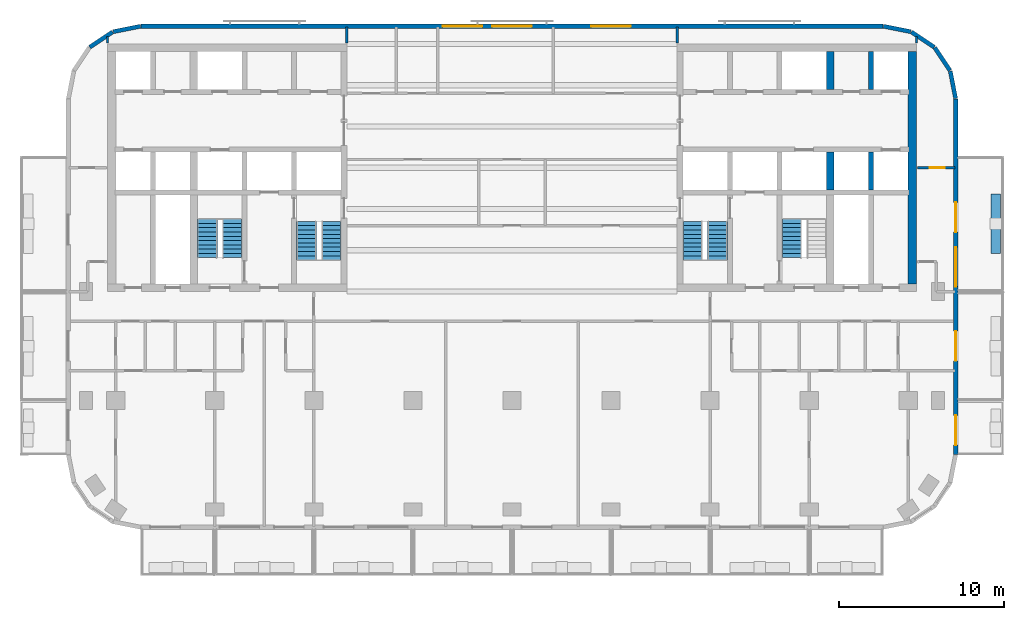
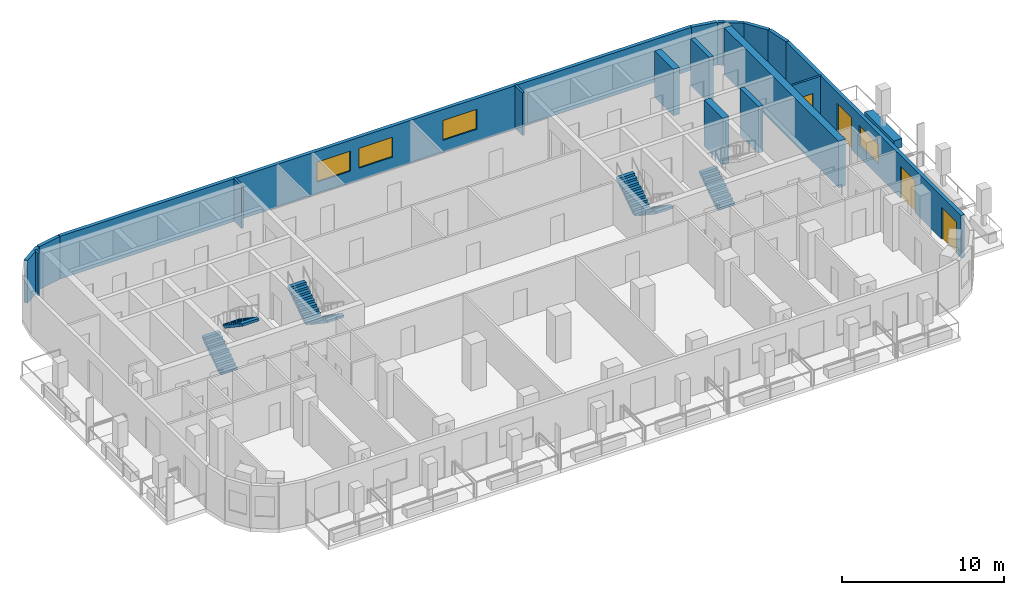
# One storey, part 7 of 11: 19 walls, 7 stair flights, 4 doors, 4 windows, 8 openings, 4 elements without a shape of their own.
"""IFC4 building model written with IfcOpenShell, lengths in metres."""

from ifc_helpers import new_model, si_unit, direction, frame, frame_2d, origin, place, context, subcontext, project, spatial, polyline, rectangle, outline, extrude, material, layer, layer_set, type_object, element, fill, aggregate, save


model = new_model("IFC4")

# Units and contexts
model_context = context("Model", 3, precision=1e-05, world=origin(), true_north=direction((0.0, 1.0)))
body_context = subcontext(model_context, "Body", "Model", "MODEL_VIEW")
ifc_project = project(units=[si_unit("LENGTHUNIT", "METRE"), si_unit("AREAUNIT", "SQUARE_METRE"), si_unit("VOLUMEUNIT", "CUBIC_METRE"), si_unit("PLANEANGLEUNIT", "RADIAN"), si_unit("MASSUNIT", "GRAM", prefix="KILO")], contexts=[model_context])

# Site, building, storey
site_placement = place(None, origin())
site = spatial("IfcSite", under=ifc_project, at=site_placement, CompositionType="ELEMENT")
building_placement = place(site_placement, origin())
building = spatial("IfcBuilding", under=site, at=building_placement, Name="Torana Hotel and Residences", CompositionType="ELEMENT")
storey_placement = place(building_placement, frame((0.0, 0.0, 190.60009765625)))
storey = spatial("IfcBuildingStorey", under=building, at=storey_placement, Name="L49", CompositionType="ELEMENT", Elevation=190.60009765625)

# Walls
ifc_material_1 = material(Name="Concrete C70/85", Category="concrete")
ifc_layer_1 = layer(ifc_material_1, 0.300048828125)
ifc_layer_set_1 = layer_set([ifc_layer_1], Name="CORE WALL 300 C70/85")
wall_type_1 = type_object("IfcWallType", Name="CORE WALL 300 C70/85", PredefinedType="SHEAR", material=ifc_layer_set_1)
for number, where, z_axis, x_axis, name in (
    (1, (21.75, -2.75, 0.0), (0.0, 0.0, 1.0), (0.0, 1.0, 0.0), "Core wall E mm-N"),
    (2, (21.75, -8.85009765625, 0.0), (0.0, 0.0, 1.0), (0.0, 1.0, 0.0), "Core wall E mm-S"),
):
    element("IfcWall", number, at=place(storey_placement, frame(where, z_axis=z_axis, x_axis=x_axis)), inside=storey, type_object=wall_type_1, Name=name, PredefinedType="SHEAR", context=body_context, shape_type="SweptSolid", body=[
        extrude(rectangle(XDim=2.300048828125, YDim=0.300048828125, at=frame_2d((1.14990234375, 0.0))), origin(), (0.0, 0.0, 1.0), 3.5),
    ])
ifc_material_2 = material(Name="Concrete C70/85", Category="concrete")
ifc_layer_2 = layer(ifc_material_2, 0.449951171875)
ifc_layer_set_2 = layer_set([ifc_layer_2], Name="CORE WALL 450 C70/85")
wall_type_2 = type_object("IfcWallType", Name="CORE WALL 450 C70/85", PredefinedType="SHEAR", material=ifc_layer_set_2)
for number, where, z_axis, x_axis, name in (
    (3, (19.27490234375, -2.75, 0.0), (0.0, 0.0, 1.0), (0.0, 1.0, 0.0), "Core wall E hm-N"),
    (4, (19.27490234375, -8.85009765625, 0.0), (0.0, 0.0, 1.0), (0.0, 1.0, 0.0), "Core wall E hm-S"),
):
    element("IfcWall", number, at=place(storey_placement, frame(where, z_axis=z_axis, x_axis=x_axis)), inside=storey, type_object=wall_type_2, Name=name, PredefinedType="SHEAR", context=body_context, shape_type="SweptSolid", body=[
        extrude(rectangle(XDim=2.300048828125, YDim=0.449951171875, at=frame_2d((1.14990234375, 0.0))), origin(), (0.0, 0.0, 1.0), 3.5),
    ])
ifc_material_3 = material(Name="Concrete C70/85", Category="concrete")
ifc_layer_3 = layer(ifc_material_3, 0.5)
ifc_layer_set_3 = layer_set([ifc_layer_3], Name="CORE WALL 500 C70/85")
wall_type_3 = type_object("IfcWallType", Name="CORE WALL 500 C70/85", PredefinedType="SHEAR", material=ifc_layer_set_3)
wall_1_placement = place(storey_placement, frame((24.25, -14.550048828125, 0.0), z_axis=(0.0, 0.0, 1.0), x_axis=(0.0, 1.0, 0.0)))
element("IfcWall", 5, at=wall_1_placement, inside=storey, type_object=wall_type_3, Name="Core wall E outer", PredefinedType="SHEAR", context=body_context, shape_type="SweptSolid", body=[
    extrude(rectangle(XDim=14.10009765625, YDim=0.5, at=frame_2d((7.050048828125, 0.0))), origin(), (0.0, 0.0, 1.0), 3.5),
])
ifc_material_4 = material(Name="Black aluminium composite panel", Category="aluminium")
ifc_layer_4 = layer(ifc_material_4, 0.00390625, Name="Cladding", Category="cladding")
ifc_material_5 = material(Name="Ventilated air cavity")
ifc_layer_5 = layer(ifc_material_5, 0.0400390625, Name="Ventilated cavity", Category="cavity")
ifc_material_6 = material(Name="Mineral wool insulation")
ifc_layer_6 = layer(ifc_material_6, 0.090087890625, Name="Insulation", Category="insulation")
ifc_material_7 = material(Name="Steel S280GD", Category="steel")
ifc_layer_7 = layer(ifc_material_7, 0.092041015625, Name="Steel stud frame", Category="structure")
ifc_material_8 = material(Name="Fire rated plasterboard")
ifc_layer_8 = layer(ifc_material_8, 0.011962890625, Name="Inner board", Category="finish")
ifc_layer_9 = layer(ifc_material_8, 0.011962890625, Name="Second board", Category="finish")
ifc_layer_set_4 = layer_set([ifc_layer_4, ifc_layer_5, ifc_layer_6, ifc_layer_7, ifc_layer_8, ifc_layer_9], Name="EW1 EXTERNAL WALL BLACK METAL CLAD 250")
wall_type_4 = type_object("IfcWallType", Name="EW1 EXTERNAL WALL BLACK METAL CLAD 250", PredefinedType="SOLIDWALL", material=ifc_layer_set_4)
wall_2_placement = place(storey_placement, frame((26.87255859375, -3.30029296875, 0.0), z_axis=(0.0, 0.0, 1.0), x_axis=(-0.194999110559, 0.980803419081, 0.0)))
element("IfcWall", 6, at=wall_2_placement, inside=storey, type_object=wall_type_4, Name="External wall L49 e0.0", PredefinedType="SOLIDWALL", context=body_context, shape_type="SweptSolid", body=[
    extrude(rectangle(XDim=1.681396484375, YDim=0.25, at=frame_2d((0.8408203125, 0.0))), origin(), (0.0, 0.0, 1.0), 3.219970703125),
])
for number, where, z_axis, x_axis, name in (
    (7, (26.52587890625, -1.60595703125, 0.0), (0.0, 0.0, 1.0), (-0.55555029066, 0.831482937015, 0.0), "External wall L49 e0.1"),
    (8, (25.5712890625, -0.1943359375, 0.0), (0.0, 0.0, 1.0), (-0.831482937015, 0.55555029066, 0.0), "External wall L49 e0.2"),
):
    element("IfcWall", number, at=place(storey_placement, frame(where, z_axis=z_axis, x_axis=x_axis)), inside=storey, type_object=wall_type_4, Name=name, PredefinedType="SOLIDWALL", context=body_context, shape_type="SweptSolid", body=[
        extrude(rectangle(XDim=1.65625, YDim=0.25, at=frame_2d((0.828125, 0.0))), origin(), (0.0, 0.0, 1.0), 3.219970703125),
    ])
for number, where, z_axis, x_axis, name in (
    (9, (24.14892578125, 0.74462890625, 0.0), (0.0, 0.0, 1.0), (-0.980803419081, 0.194999110559, 0.0), "External wall L49 e0.3"),
    (10, (-22.499755859375, 1.072509765625, 0.0), (0.0, 0.0, 1.0), (-0.980803419081, -0.194999110559, 0.0), "External wall L49 e0.5"),
):
    element("IfcWall", number, at=place(storey_placement, frame(where, z_axis=z_axis, x_axis=x_axis)), inside=storey, type_object=wall_type_4, Name=name, PredefinedType="SOLIDWALL", context=body_context, shape_type="SweptSolid", body=[
        extrude(rectangle(XDim=1.681396484375, YDim=0.25, at=frame_2d((0.8408203125, 0.0))), origin(), (0.0, 0.0, 1.0), 3.219970703125),
    ])
wall_3_placement = place(storey_placement, frame((-24.194091796875, 0.725830078125, 0.0), z_axis=(0.0, 0.0, 1.0), x_axis=(-0.831482937015, -0.55555029066, 0.0)))
element("IfcWall", 11, at=wall_3_placement, inside=storey, type_object=wall_type_4, Name="External wall L49 e0.6", PredefinedType="SOLIDWALL", context=body_context, shape_type="SweptSolid", body=[
    extrude(rectangle(XDim=1.65625, YDim=0.25, at=frame_2d((0.828125, 0.0))), origin(), (0.0, 0.0, 1.0), 3.219970703125),
])

# Wall, openings, doors, window
wall_4_placement = place(storey_placement, frame((26.875, -24.87548828125, 0.0), z_axis=(0.0, 0.0, 1.0), x_axis=(0.0, 1.0, 0.0)))
wall_4 = element("IfcWall", 12, at=wall_4_placement, inside=storey, type_object=wall_type_4, Name="External wall L49 e0.19", PredefinedType="SOLIDWALL", context=body_context, shape_type="SweptSolid", body=[
    extrude(rectangle(XDim=21.55078125, YDim=0.25, at=frame_2d((10.775390625, 0.0))), origin(), (0.0, 0.0, 1.0), 3.219970703125),
])
opening_1_placement = place(wall_4_placement, frame((0.575439453125, 0.0, 0.0)))
opening_1 = element("IfcOpeningElement", 13, at=opening_1_placement, cuts=wall_4, Name="Opening L49-E09", PredefinedType="OPENING", context=body_context, shape_type="SweptSolid", body=[
    extrude(rectangle(XDim=1.800048828125, YDim=2.39990234375, at=frame_2d((0.89990234375, 1.199951171875))), frame((0.0, 0.135009765625, 0.0), z_axis=(0.0, -1.0, 0.0), x_axis=(1.0, 0.0, 0.0)), (0.0, 0.0, 1.0), 0.27001953125),
])
opening_2_placement = place(wall_4_placement, frame((5.67529296875, 0.0, 0.0)))
opening_2 = element("IfcOpeningElement", 14, at=opening_2_placement, cuts=wall_4, Name="Opening L49-E10", PredefinedType="OPENING", context=body_context, shape_type="SweptSolid", body=[
    extrude(rectangle(XDim=1.800048828125, YDim=2.39990234375, at=frame_2d((0.89990234375, 1.199951171875))), frame((0.0, 0.135009765625, 0.0), z_axis=(0.0, -1.0, 0.0), x_axis=(1.0, 0.0, 0.0)), (0.0, 0.0, 1.0), 0.27001953125),
])
opening_3_placement = place(wall_4_placement, frame((10.17529296875, 0.0, 0.89990234375)))
opening_3 = element("IfcOpeningElement", 15, at=opening_3_placement, cuts=wall_4, Name="Opening W3", PredefinedType="OPENING", context=body_context, shape_type="SweptSolid", body=[
    extrude(rectangle(XDim=2.39990234375, YDim=1.5, at=frame_2d((1.199951171875, 0.75))), frame((0.0, 0.135009765625, 0.0), z_axis=(0.0, -1.0, 0.0), x_axis=(1.0, 0.0, 0.0)), (0.0, 0.0, 1.0), 0.27001953125),
])
opening_4_placement = place(wall_4_placement, frame((13.475341796875, 0.0, 0.0)))
opening_4 = element("IfcOpeningElement", 16, at=opening_4_placement, cuts=wall_4, Name="Opening L49-E11", PredefinedType="OPENING", context=body_context, shape_type="SweptSolid", body=[
    extrude(rectangle(XDim=1.800048828125, YDim=2.39990234375, at=frame_2d((0.89990234375, 1.199951171875))), frame((0.0, 0.135009765625, 0.0), z_axis=(0.0, -1.0, 0.0), x_axis=(1.0, 0.0, 0.0)), (0.0, 0.0, 1.0), 0.27001953125),
])
ifc_material_9 = material(Name="Dark glass in black aluminium frame", Category="aluminium")
door_type_1 = type_object("IfcDoorType", Name="DB1 BALCONY DOOR 1800x2400", OperationType="DOUBLE_DOOR_SINGLE_SWING", PredefinedType="DOOR", material=ifc_material_9)
door_1_placement = place(opening_1_placement, origin())
door_1 = element("IfcDoor", 17, at=door_1_placement, inside=storey, type_object=door_type_1, Name="Balcony door L49", OperationType="DOUBLE_DOOR_SINGLE_SWING", OverallHeight=2.39990234375, OverallWidth=1.800048828125, PredefinedType="DOOR", context=body_context, shape_type="SweptSolid", body=[
    extrude(rectangle(XDim=1.800048828125, YDim=2.39990234375, at=frame_2d((0.89990234375, 1.199951171875))), frame((0.0, 0.02490234375, 0.0), z_axis=(0.0, -1.0, 0.0), x_axis=(1.0, 0.0, 0.0)), (0.0, 0.0, 1.0), 0.050048828125),
])
fill(opening_1, door_1)
door_2_placement = place(opening_2_placement, origin())
door_2 = element("IfcDoor", 18, at=door_2_placement, inside=storey, type_object=door_type_1, Name="Balcony door L49", OperationType="DOUBLE_DOOR_SINGLE_SWING", OverallHeight=2.39990234375, OverallWidth=1.800048828125, PredefinedType="DOOR", context=body_context, shape_type="SweptSolid", body=[
    extrude(rectangle(XDim=1.800048828125, YDim=2.39990234375, at=frame_2d((0.89990234375, 1.199951171875))), frame((0.0, 0.02490234375, 0.0), z_axis=(0.0, -1.0, 0.0), x_axis=(1.0, 0.0, 0.0)), (0.0, 0.0, 1.0), 0.050048828125),
])
fill(opening_2, door_2)
door_3_placement = place(opening_4_placement, origin())
door_3 = element("IfcDoor", 19, at=door_3_placement, inside=storey, type_object=door_type_1, Name="Balcony door L49", OperationType="DOUBLE_DOOR_SINGLE_SWING", OverallHeight=2.39990234375, OverallWidth=1.800048828125, PredefinedType="DOOR", context=body_context, shape_type="SweptSolid", body=[
    extrude(rectangle(XDim=1.800048828125, YDim=2.39990234375, at=frame_2d((0.89990234375, 1.199951171875))), frame((0.0, 0.02490234375, 0.0), z_axis=(0.0, -1.0, 0.0), x_axis=(1.0, 0.0, 0.0)), (0.0, 0.0, 1.0), 0.050048828125),
])
fill(opening_4, door_3)
ifc_material_10 = material(Name="Dark glass in black aluminium frame", Category="aluminium")
window_type = type_object("IfcWindowType", Name="W3 RESIDENCE WINDOW 2400x1500", PartitioningType="SINGLE_PANEL", PredefinedType="WINDOW", material=ifc_material_10)
window_1_placement = place(opening_3_placement, origin())
window_1 = element("IfcWindow", 20, at=window_1_placement, inside=storey, type_object=window_type, Name="Window L49", OverallHeight=1.5, OverallWidth=2.39990234375, PartitioningType="SINGLE_PANEL", PredefinedType="WINDOW", context=body_context, shape_type="SweptSolid", body=[
    extrude(rectangle(XDim=2.39990234375, YDim=1.5, at=frame_2d((1.199951171875, 0.75))), frame((0.0, 0.030029296875, 0.0), z_axis=(0.0, -1.0, 0.0), x_axis=(1.0, 0.0, 0.0)), (0.0, 0.0, 1.0), 0.06005859375),
])
fill(opening_3, window_1)

# Wall, openings, windows
ifc_material_11 = material(Name="Concrete C40/50 precast", Category="concrete")
ifc_layer_10 = layer(ifc_material_11, 0.10009765625, Name="Perforated block", Category="cladding")
ifc_material_12 = material(Name="Air cavity")
ifc_layer_11 = layer(ifc_material_12, 0.030029296875, Name="Cavity", Category="cavity")
ifc_material_13 = material(Name="Concrete C40/50", Category="concrete")
ifc_layer_12 = layer(ifc_material_13, 0.10009765625, Name="Wall", Category="structure")
ifc_material_14 = material(Name="Plaster and paint")
ifc_layer_13 = layer(ifc_material_14, 0.02001953125, Name="Inner finish", Category="finish")
ifc_layer_set_5 = layer_set([ifc_layer_10, ifc_layer_11, ifc_layer_12, ifc_layer_13], Name="EW2 PERFORATED BLOCK SCREEN WALL 250")
wall_type_5 = type_object("IfcWallType", Name="EW2 PERFORATED BLOCK SCREEN WALL 250", PredefinedType="SOLIDWALL", material=ifc_layer_set_5)
wall_5_placement = place(storey_placement, frame((22.475341796875, 1.074951171875, 0.0), z_axis=(0.0, 0.0, 1.0), x_axis=(-1.0, 0.0, 0.0)))
wall_5 = element("IfcWall", 21, at=wall_5_placement, inside=storey, type_object=wall_type_5, Name="External wall L49 e0.4", PredefinedType="SOLIDWALL", context=body_context, shape_type="SweptSolid", body=[
    extrude(rectangle(XDim=44.95068359375, YDim=0.25, at=frame_2d((22.475341796875, 0.0))), origin(), (0.0, 0.0, 1.0), 3.219970703125),
])
opening_5_placement = place(wall_5_placement, frame((15.275390625, 0.0, 0.89990234375)))
opening_5 = element("IfcOpeningElement", 22, at=opening_5_placement, cuts=wall_5, Name="Opening W3", PredefinedType="OPENING", context=body_context, shape_type="SweptSolid", body=[
    extrude(rectangle(XDim=2.39990234375, YDim=1.5, at=frame_2d((1.199951171875, 0.75))), frame((0.0, 0.135009765625, 0.0), z_axis=(0.0, -1.0, 0.0), x_axis=(1.0, 0.0, 0.0)), (0.0, 0.0, 1.0), 0.27001953125),
])
opening_6_placement = place(wall_5_placement, frame((21.275390625, 0.0, 0.89990234375)))
opening_6 = element("IfcOpeningElement", 23, at=opening_6_placement, cuts=wall_5, Name="Opening W3", PredefinedType="OPENING", context=body_context, shape_type="SweptSolid", body=[
    extrude(rectangle(XDim=2.39990234375, YDim=1.5, at=frame_2d((1.199951171875, 0.75))), frame((0.0, 0.135009765625, 0.0), z_axis=(0.0, -1.0, 0.0), x_axis=(1.0, 0.0, 0.0)), (0.0, 0.0, 1.0), 0.27001953125),
])
opening_7_placement = place(wall_5_placement, frame((24.275390625, 0.0, 0.89990234375)))
opening_7 = element("IfcOpeningElement", 24, at=opening_7_placement, cuts=wall_5, Name="Opening W3", PredefinedType="OPENING", context=body_context, shape_type="SweptSolid", body=[
    extrude(rectangle(XDim=2.39990234375, YDim=1.5, at=frame_2d((1.199951171875, 0.75))), frame((0.0, 0.135009765625, 0.0), z_axis=(0.0, -1.0, 0.0), x_axis=(1.0, 0.0, 0.0)), (0.0, 0.0, 1.0), 0.27001953125),
])
window_2_placement = place(opening_5_placement, origin())
window_2 = element("IfcWindow", 25, at=window_2_placement, inside=storey, type_object=window_type, Name="Window L49", OverallHeight=1.5, OverallWidth=2.39990234375, PartitioningType="SINGLE_PANEL", PredefinedType="WINDOW", context=body_context, shape_type="SweptSolid", body=[
    extrude(rectangle(XDim=2.39990234375, YDim=1.5, at=frame_2d((1.199951171875, 0.75))), frame((0.0, 0.030029296875, 0.0), z_axis=(0.0, -1.0, 0.0), x_axis=(1.0, 0.0, 0.0)), (0.0, 0.0, 1.0), 0.06005859375),
])
fill(opening_5, window_2)
window_3_placement = place(opening_6_placement, origin())
window_3 = element("IfcWindow", 26, at=window_3_placement, inside=storey, type_object=window_type, Name="Window L49", OverallHeight=1.5, OverallWidth=2.39990234375, PartitioningType="SINGLE_PANEL", PredefinedType="WINDOW", context=body_context, shape_type="SweptSolid", body=[
    extrude(rectangle(XDim=2.39990234375, YDim=1.5, at=frame_2d((1.199951171875, 0.75))), frame((0.0, 0.030029296875, 0.0), z_axis=(0.0, -1.0, 0.0), x_axis=(1.0, 0.0, 0.0)), (0.0, 0.0, 1.0), 0.06005859375),
])
fill(opening_6, window_3)
window_4_placement = place(opening_7_placement, origin())
window_4 = element("IfcWindow", 27, at=window_4_placement, inside=storey, type_object=window_type, Name="Window L49", OverallHeight=1.5, OverallWidth=2.39990234375, PartitioningType="SINGLE_PANEL", PredefinedType="WINDOW", context=body_context, shape_type="SweptSolid", body=[
    extrude(rectangle(XDim=2.39990234375, YDim=1.5, at=frame_2d((1.199951171875, 0.75))), frame((0.0, 0.030029296875, 0.0), z_axis=(0.0, -1.0, 0.0), x_axis=(1.0, 0.0, 0.0)), (0.0, 0.0, 1.0), 0.06005859375),
])
fill(opening_7, window_4)

# Walls
ifc_material_15 = material(Name="Gypsum plasterboard")
ifc_layer_14 = layer(ifc_material_15, 0.012451171875, Name="Plasterboard", Category="finish")
ifc_layer_15 = layer(ifc_material_15, 0.012451171875, Name="Plasterboard", Category="finish")
ifc_layer_16 = layer(ifc_material_7, 0.10009765625, Name="Steel studs with mineral wool", Category="insulation")
ifc_layer_17 = layer(ifc_material_15, 0.012451171875, Name="Plasterboard", Category="finish")
ifc_layer_18 = layer(ifc_material_15, 0.012451171875, Name="Plasterboard", Category="finish")
ifc_layer_set_6 = layer_set([ifc_layer_14, ifc_layer_15, ifc_layer_16, ifc_layer_17, ifc_layer_18], Name="PARTITION 150 PLASTERBOARD")
wall_type_6 = type_object("IfcWallType", Name="PARTITION 150 PLASTERBOARD", PredefinedType="PARTITIONING", material=ifc_layer_set_6)
wall_6_placement = place(storey_placement, frame((24.5, 0.050048828125, 0.0), z_axis=(0.0, 0.0, 1.0), x_axis=(0.0, 1.0, 0.0)))
element("IfcWall", 28, at=wall_6_placement, inside=storey, type_object=wall_type_6, Name="Partition L49", PredefinedType="PARTITIONING", context=body_context, shape_type="SweptSolid", body=[
    extrude(rectangle(XDim=0.4052734375, YDim=0.14990234375, at=frame_2d((0.20263671875, 0.0))), origin(), (0.0, 0.0, 1.0), 3.219970703125),
])
wall_7_placement = place(storey_placement, frame((10.0, 0.050048828125, 0.0), z_axis=(0.0, 0.0, 1.0), x_axis=(0.0, 1.0, 0.0)))
element("IfcWall", 29, at=wall_7_placement, inside=storey, type_object=wall_type_6, Name="Partition L49", PredefinedType="PARTITIONING", context=body_context, shape_type="SweptSolid", body=[
    extrude(rectangle(XDim=0.969970703125, YDim=0.14990234375, at=frame_2d((0.48486328125, 0.0))), origin(), (0.0, 0.0, 1.0), 3.219970703125),
])
wall_8_placement = place(storey_placement, frame((-24.5, 0.050048828125, 0.0), z_axis=(0.0, 0.0, 1.0), x_axis=(0.0, 1.0, 0.0)))
element("IfcWall", 30, at=wall_8_placement, inside=storey, type_object=wall_type_6, Name="Partition L49", PredefinedType="PARTITIONING", context=body_context, shape_type="SweptSolid", body=[
    extrude(rectangle(XDim=0.4052734375, YDim=0.14990234375, at=frame_2d((0.20263671875, 0.0))), origin(), (0.0, 0.0, 1.0), 3.219970703125),
])

# Wall, opening, door
wall_9_placement = place(storey_placement, frame((24.550048828125, -7.5, 0.0), z_axis=(0.0, 0.0, 1.0), x_axis=(1.0, 0.0, 0.0)))
wall_9 = element("IfcWall", 31, at=wall_9_placement, inside=storey, type_object=wall_type_6, Name="Partition L49", PredefinedType="PARTITIONING", context=body_context, shape_type="SweptSolid", body=[
    extrude(rectangle(XDim=2.27001953125, YDim=0.14990234375, at=frame_2d((1.135009765625, 0.0))), origin(), (0.0, 0.0, 1.0), 3.219970703125),
])
opening_8_placement = place(wall_9_placement, frame((0.75, 0.0, 0.0)))
opening_8 = element("IfcOpeningElement", 32, at=opening_8_placement, cuts=wall_9, Name="Opening L49-63", PredefinedType="OPENING", context=body_context, shape_type="SweptSolid", body=[
    extrude(rectangle(XDim=0.89990234375, YDim=2.10009765625, at=frame_2d((0.449951171875, 1.050048828125))), frame((0.0, 0.0849609375, 0.0), z_axis=(0.0, -1.0, 0.0), x_axis=(1.0, 0.0, 0.0)), (0.0, 0.0, 1.0), 0.169921875),
])
ifc_material_16 = material(Name="Timber door, oiled ash", Category="wood")
door_type_2 = type_object("IfcDoorType", Name="ROOM DOOR D7 900x2100", OperationType="SINGLE_SWING_LEFT", PredefinedType="DOOR", material=ifc_material_16)
door_4_placement = place(opening_8_placement, origin())
door_4 = element("IfcDoor", 33, at=door_4_placement, inside=storey, type_object=door_type_2, Name="Door L49", OperationType="SINGLE_SWING_LEFT", OverallHeight=2.10009765625, OverallWidth=0.89990234375, PredefinedType="DOOR", context=body_context, shape_type="SweptSolid", body=[
    extrude(rectangle(XDim=0.89990234375, YDim=2.10009765625, at=frame_2d((0.449951171875, 1.050048828125))), frame((0.0, 0.02490234375, 0.0), z_axis=(0.0, -1.0, 0.0), x_axis=(1.0, 0.0, 0.0)), (0.0, 0.0, 1.0), 0.050048828125),
])
fill(opening_8, door_4)

# Walls
ifc_layer_19 = layer(ifc_material_11, 0.10009765625, Name="Planter shell", Category="structure")
ifc_material_17 = material(Name="Root resistant membrane")
ifc_layer_20 = layer(ifc_material_17, 0.00390625, Name="Waterproofing membrane", Category="membrane")
ifc_material_18 = material(Name="Drainage board with filter fleece")
ifc_layer_21 = layer(ifc_material_18, 0.02001953125, Name="Drainage board", Category="drainage")
ifc_material_19 = material(Name="Growing medium")
ifc_layer_22 = layer(ifc_material_19, 0.47607421875, Name="Planting substrate", Category="soil")
ifc_layer_set_7 = layer_set([ifc_layer_19, ifc_layer_20, ifc_layer_21, ifc_layer_22], Name="PL1 BALCONY PLANTER 600")
wall_type_7 = type_object("IfcWallType", Name="PL1 BALCONY PLANTER 600", PredefinedType="USERDEFINED", material=ifc_layer_set_7)
wall_10_placement = place(storey_placement, frame((29.300048828125, -9.10009765625, 0.0), z_axis=(0.0, 0.0, 1.0), x_axis=(0.0, -1.0, 0.0)))
element("IfcWall", 34, at=wall_10_placement, inside=storey, type_object=wall_type_7, Name="Planter 14", ObjectType="PLANTER", PredefinedType="USERDEFINED", context=body_context, shape_type="SweptSolid", body=[
    extrude(rectangle(XDim=3.599853515625, YDim=0.60009765625, at=frame_2d((1.7998046875, 0.0))), origin(), (0.0, 0.0, 1.0), 0.64990234375),
])
ifc_material_20 = material(Name="Ceramic tile on adhesive")
ifc_layer_23 = layer(ifc_material_20, 0.010009765625, Name="Wall tile", Category="finish")
ifc_material_21 = material(Name="Cement render")
ifc_layer_24 = layer(ifc_material_21, 0.010009765625, Name="Render", Category="finish")
ifc_material_22 = material(Name="Concrete blockwork", Category="masonry")
ifc_layer_25 = layer(ifc_material_22, 0.110107421875, Name="Blockwork", Category="structure")
ifc_layer_26 = layer(ifc_material_21, 0.010009765625, Name="Render", Category="finish")
ifc_layer_27 = layer(ifc_material_20, 0.010009765625, Name="Wall tile", Category="finish")
ifc_layer_set_8 = layer_set([ifc_layer_23, ifc_layer_24, ifc_layer_25, ifc_layer_26, ifc_layer_27], Name="WC PARTITION 150")
wall_type_8 = type_object("IfcWallType", Name="WC PARTITION 150", PredefinedType="PLUMBINGWALL", material=ifc_layer_set_8)
wall_11_placement = place(storey_placement, frame((-10.0, 0.050048828125, 0.0), z_axis=(0.0, 0.0, 1.0), x_axis=(0.0, 1.0, 0.0)))
element("IfcWall", 35, at=wall_11_placement, inside=storey, type_object=wall_type_8, Name="Partition L49", PredefinedType="PLUMBINGWALL", context=body_context, shape_type="SweptSolid", body=[
    extrude(rectangle(XDim=0.969970703125, YDim=0.14990234375, at=frame_2d((0.48486328125, 0.0))), origin(), (0.0, 0.0, 1.0), 3.219970703125),
])

# Stair, stair flights
ifc_material_23 = material(Name="Concrete C40/50 precast", Category="concrete")
stair_type_1 = type_object("IfcStairType", Name="STAIR ST1 HALF TURN 1200", PredefinedType="HALF_TURN_STAIR", material=ifc_material_23)
stair_1_placement = place(storey_placement, origin())
stair_1 = element("IfcStair", 36, at=stair_1_placement, inside=storey, type_object=stair_type_1, Name="Stair ST1 L49", PredefinedType="HALF_TURN_STAIR")
ifc_material_24 = material(Name="Concrete C40/50 precast", Category="concrete")
stair_flight_type = type_object("IfcStairFlightType", Name="STAIR FLIGHT 1200 PRECAST", PredefinedType="STRAIGHT", material=ifc_material_24)
stair_flight_1_placement = place(storey_placement, frame((-10.949951171875, -10.75, 0.0), z_axis=(0.0, 0.0, 1.0), x_axis=(0.0, -1.0, 0.0)))
stair_flight_1 = element("IfcStairFlight", 37, at=stair_flight_1_placement, type_object=stair_flight_type, Name="ST1 flight 1", NumberOfRisers=10, NumberOfTreads=9, PredefinedType="STRAIGHT", RiserHeight=0.175, TreadLength=0.26, context=body_context, shape_type="SweptSolid", body=[
    extrude(outline(polyline([(0.0, 0.0), (0.0, 0.175048828125), (0.260009765625, 0.175048828125), (0.260009765625, 0.35009765625), (0.52001953125, 0.35009765625), (0.52001953125, 0.52490234375), (0.780029296875, 0.52490234375), (0.780029296875, 0.699951171875), (1.0400390625, 0.699951171875), (1.0400390625, 0.875), (1.300048828125, 0.875), (1.300048828125, 1.050048828125), (1.56005859375, 1.050048828125), (1.56005859375, 1.22509765625), (1.820068359375, 1.22509765625), (1.820068359375, 1.39990234375), (2.080078125, 1.39990234375), (2.080078125, 1.574951171875), (2.340087890625, 1.574951171875), (2.340087890625, 1.75), (2.340087890625, 1.394287109375), (0.2685546875, 0.0), (0.0, 0.0)])), frame((0.0, 0.60009765625, 0.0), z_axis=(0.0, -1.0, 0.0), x_axis=(1.0, 0.0, 0.0)), (0.0, 0.0, 1.0), 1.199951171875),
])
stair_flight_2_placement = place(storey_placement, frame((-12.449951171875, -13.090087890625, 1.75), z_axis=(0.0, 0.0, 1.0), x_axis=(0.0, 1.0, 0.0)))
stair_flight_2 = element("IfcStairFlight", 38, at=stair_flight_2_placement, type_object=stair_flight_type, Name="ST1 flight 2", NumberOfRisers=10, NumberOfTreads=9, PredefinedType="STRAIGHT", RiserHeight=0.175, TreadLength=0.26, context=body_context, shape_type="SweptSolid", body=[
    extrude(outline(polyline([(0.0, 0.0), (0.0, 0.175048828125), (0.260009765625, 0.175048828125), (0.260009765625, 0.35009765625), (0.52001953125, 0.35009765625), (0.52001953125, 0.52490234375), (0.780029296875, 0.52490234375), (0.780029296875, 0.699951171875), (1.0400390625, 0.699951171875), (1.0400390625, 0.875), (1.300048828125, 0.875), (1.300048828125, 1.050048828125), (1.56005859375, 1.050048828125), (1.56005859375, 1.22509765625), (1.820068359375, 1.22509765625), (1.820068359375, 1.39990234375), (2.080078125, 1.39990234375), (2.080078125, 1.574951171875), (2.340087890625, 1.574951171875), (2.340087890625, 1.75), (2.340087890625, 1.394287109375), (0.2685546875, 0.0), (0.0, 0.0)])), frame((0.0, 0.60009765625, 0.0), z_axis=(0.0, -1.0, 0.0), x_axis=(1.0, 0.0, 0.0)), (0.0, 0.0, 1.0), 1.199951171875),
])
aggregate(stair_1, [stair_flight_1, stair_flight_2])

ifc_material_25 = material(Name="Concrete C40/50 precast", Category="concrete")
stair_type_2 = type_object("IfcStairType", Name="STAIR ST2 HALF TURN 1200", PredefinedType="HALF_TURN_STAIR", material=ifc_material_25)
stair_2_placement = place(storey_placement, origin())
stair_2 = element("IfcStair", 39, at=stair_2_placement, inside=storey, type_object=stair_type_2, Name="Stair ST2 L49", PredefinedType="HALF_TURN_STAIR")
stair_flight_3_placement = place(storey_placement, frame((-18.449951171875, -12.949951171875, 0.0), z_axis=(0.0, 0.0, 1.0), x_axis=(0.0, 1.0, 0.0)))
stair_flight_3 = element("IfcStairFlight", 40, at=stair_flight_3_placement, type_object=stair_flight_type, Name="ST2 flight 1", NumberOfRisers=10, NumberOfTreads=9, PredefinedType="STRAIGHT", RiserHeight=0.175, TreadLength=0.26, context=body_context, shape_type="SweptSolid", body=[
    extrude(outline(polyline([(0.0, 0.0), (0.0, 0.175048828125), (0.260009765625, 0.175048828125), (0.260009765625, 0.35009765625), (0.52001953125, 0.35009765625), (0.52001953125, 0.52490234375), (0.780029296875, 0.52490234375), (0.780029296875, 0.699951171875), (1.0400390625, 0.699951171875), (1.0400390625, 0.875), (1.300048828125, 0.875), (1.300048828125, 1.050048828125), (1.56005859375, 1.050048828125), (1.56005859375, 1.22509765625), (1.820068359375, 1.22509765625), (1.820068359375, 1.39990234375), (2.080078125, 1.39990234375), (2.080078125, 1.574951171875), (2.340087890625, 1.574951171875), (2.340087890625, 1.75), (2.340087890625, 1.394287109375), (0.2685546875, 0.0), (0.0, 0.0)])), frame((0.0, 0.60009765625, 0.0), z_axis=(0.0, -1.0, 0.0), x_axis=(1.0, 0.0, 0.0)), (0.0, 0.0, 1.0), 1.199951171875),
])
stair_flight_4_placement = place(storey_placement, frame((-16.949951171875, -10.610107421875, 1.75), z_axis=(0.0, 0.0, 1.0), x_axis=(0.0, -1.0, 0.0)))
stair_flight_4 = element("IfcStairFlight", 41, at=stair_flight_4_placement, type_object=stair_flight_type, Name="ST2 flight 2", NumberOfRisers=10, NumberOfTreads=9, PredefinedType="STRAIGHT", RiserHeight=0.175, TreadLength=0.26, context=body_context, shape_type="SweptSolid", body=[
    extrude(outline(polyline([(0.0, 0.0), (0.0, 0.175048828125), (0.260009765625, 0.175048828125), (0.260009765625, 0.35009765625), (0.52001953125, 0.35009765625), (0.52001953125, 0.52490234375), (0.780029296875, 0.52490234375), (0.780029296875, 0.699951171875), (1.0400390625, 0.699951171875), (1.0400390625, 0.875), (1.300048828125, 0.875), (1.300048828125, 1.050048828125), (1.56005859375, 1.050048828125), (1.56005859375, 1.22509765625), (1.820068359375, 1.22509765625), (1.820068359375, 1.39990234375), (2.080078125, 1.39990234375), (2.080078125, 1.574951171875), (2.340087890625, 1.574951171875), (2.340087890625, 1.75), (2.340087890625, 1.394287109375), (0.2685546875, 0.0), (0.0, 0.0)])), frame((0.0, 0.60009765625, 0.0), z_axis=(0.0, -1.0, 0.0), x_axis=(1.0, 0.0, 0.0)), (0.0, 0.0, 1.0), 1.199951171875),
])
aggregate(stair_2, [stair_flight_3, stair_flight_4])

ifc_material_26 = material(Name="Concrete C40/50 precast", Category="concrete")
stair_type_3 = type_object("IfcStairType", Name="STAIR ST3 HALF TURN 1200", PredefinedType="HALF_TURN_STAIR", material=ifc_material_26)
stair_3_placement = place(storey_placement, origin())
stair_3 = element("IfcStair", 42, at=stair_3_placement, inside=storey, type_object=stair_type_3, Name="Stair ST3 L49", PredefinedType="HALF_TURN_STAIR")
stair_flight_5_placement = place(storey_placement, frame((12.449951171875, -10.75, 0.0), z_axis=(0.0, 0.0, 1.0), x_axis=(0.0, -1.0, 0.0)))
stair_flight_5 = element("IfcStairFlight", 43, at=stair_flight_5_placement, type_object=stair_flight_type, Name="ST3 flight 1", NumberOfRisers=10, NumberOfTreads=9, PredefinedType="STRAIGHT", RiserHeight=0.175, TreadLength=0.26, context=body_context, shape_type="SweptSolid", body=[
    extrude(outline(polyline([(0.0, 0.0), (0.0, 0.175048828125), (0.260009765625, 0.175048828125), (0.260009765625, 0.35009765625), (0.52001953125, 0.35009765625), (0.52001953125, 0.52490234375), (0.780029296875, 0.52490234375), (0.780029296875, 0.699951171875), (1.0400390625, 0.699951171875), (1.0400390625, 0.875), (1.300048828125, 0.875), (1.300048828125, 1.050048828125), (1.56005859375, 1.050048828125), (1.56005859375, 1.22509765625), (1.820068359375, 1.22509765625), (1.820068359375, 1.39990234375), (2.080078125, 1.39990234375), (2.080078125, 1.574951171875), (2.340087890625, 1.574951171875), (2.340087890625, 1.75), (2.340087890625, 1.394287109375), (0.2685546875, 0.0), (0.0, 0.0)])), frame((0.0, 0.60009765625, 0.0), z_axis=(0.0, -1.0, 0.0), x_axis=(1.0, 0.0, 0.0)), (0.0, 0.0, 1.0), 1.199951171875),
])
stair_flight_6_placement = place(storey_placement, frame((10.949951171875, -13.090087890625, 1.75), z_axis=(0.0, 0.0, 1.0), x_axis=(0.0, 1.0, 0.0)))
stair_flight_6 = element("IfcStairFlight", 44, at=stair_flight_6_placement, type_object=stair_flight_type, Name="ST3 flight 2", NumberOfRisers=10, NumberOfTreads=9, PredefinedType="STRAIGHT", RiserHeight=0.175, TreadLength=0.26, context=body_context, shape_type="SweptSolid", body=[
    extrude(outline(polyline([(0.0, 0.0), (0.0, 0.175048828125), (0.260009765625, 0.175048828125), (0.260009765625, 0.35009765625), (0.52001953125, 0.35009765625), (0.52001953125, 0.52490234375), (0.780029296875, 0.52490234375), (0.780029296875, 0.699951171875), (1.0400390625, 0.699951171875), (1.0400390625, 0.875), (1.300048828125, 0.875), (1.300048828125, 1.050048828125), (1.56005859375, 1.050048828125), (1.56005859375, 1.22509765625), (1.820068359375, 1.22509765625), (1.820068359375, 1.39990234375), (2.080078125, 1.39990234375), (2.080078125, 1.574951171875), (2.340087890625, 1.574951171875), (2.340087890625, 1.75), (2.340087890625, 1.394287109375), (0.2685546875, 0.0), (0.0, 0.0)])), frame((0.0, 0.60009765625, 0.0), z_axis=(0.0, -1.0, 0.0), x_axis=(1.0, 0.0, 0.0)), (0.0, 0.0, 1.0), 1.199951171875),
])
aggregate(stair_3, [stair_flight_5, stair_flight_6])

# Stair, stair flight
ifc_material_27 = material(Name="Concrete C40/50 precast", Category="concrete")
stair_type_4 = type_object("IfcStairType", Name="STAIR ST4 HALF TURN 1200", PredefinedType="HALF_TURN_STAIR", material=ifc_material_27)
stair_4_placement = place(storey_placement, origin())
stair_4 = element("IfcStair", 45, at=stair_4_placement, inside=storey, type_object=stair_type_4, Name="Stair ST4 L49", PredefinedType="HALF_TURN_STAIR")
stair_flight_7_placement = place(storey_placement, frame((16.949951171875, -12.949951171875, 0.0), z_axis=(0.0, 0.0, 1.0), x_axis=(0.0, 1.0, 0.0)))
stair_flight_7 = element("IfcStairFlight", 46, at=stair_flight_7_placement, type_object=stair_flight_type, Name="ST4 flight 1", NumberOfRisers=10, NumberOfTreads=9, PredefinedType="STRAIGHT", RiserHeight=0.175, TreadLength=0.26, context=body_context, shape_type="SweptSolid", body=[
    extrude(outline(polyline([(0.0, 0.0), (0.0, 0.175048828125), (0.260009765625, 0.175048828125), (0.260009765625, 0.35009765625), (0.52001953125, 0.35009765625), (0.52001953125, 0.52490234375), (0.780029296875, 0.52490234375), (0.780029296875, 0.699951171875), (1.0400390625, 0.699951171875), (1.0400390625, 0.875), (1.300048828125, 0.875), (1.300048828125, 1.050048828125), (1.56005859375, 1.050048828125), (1.56005859375, 1.22509765625), (1.820068359375, 1.22509765625), (1.820068359375, 1.39990234375), (2.080078125, 1.39990234375), (2.080078125, 1.574951171875), (2.340087890625, 1.574951171875), (2.340087890625, 1.75), (2.340087890625, 1.394287109375), (0.2685546875, 0.0), (0.0, 0.0)])), frame((0.0, 0.60009765625, 0.0), z_axis=(0.0, -1.0, 0.0), x_axis=(1.0, 0.0, 0.0)), (0.0, 0.0, 1.0), 1.199951171875),
])
aggregate(stair_4, [stair_flight_7])

save(model, "model.ifc")
